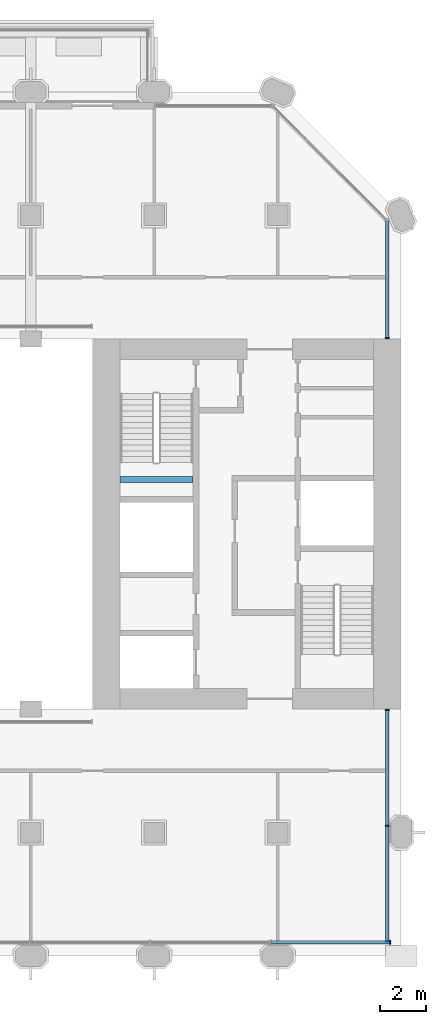
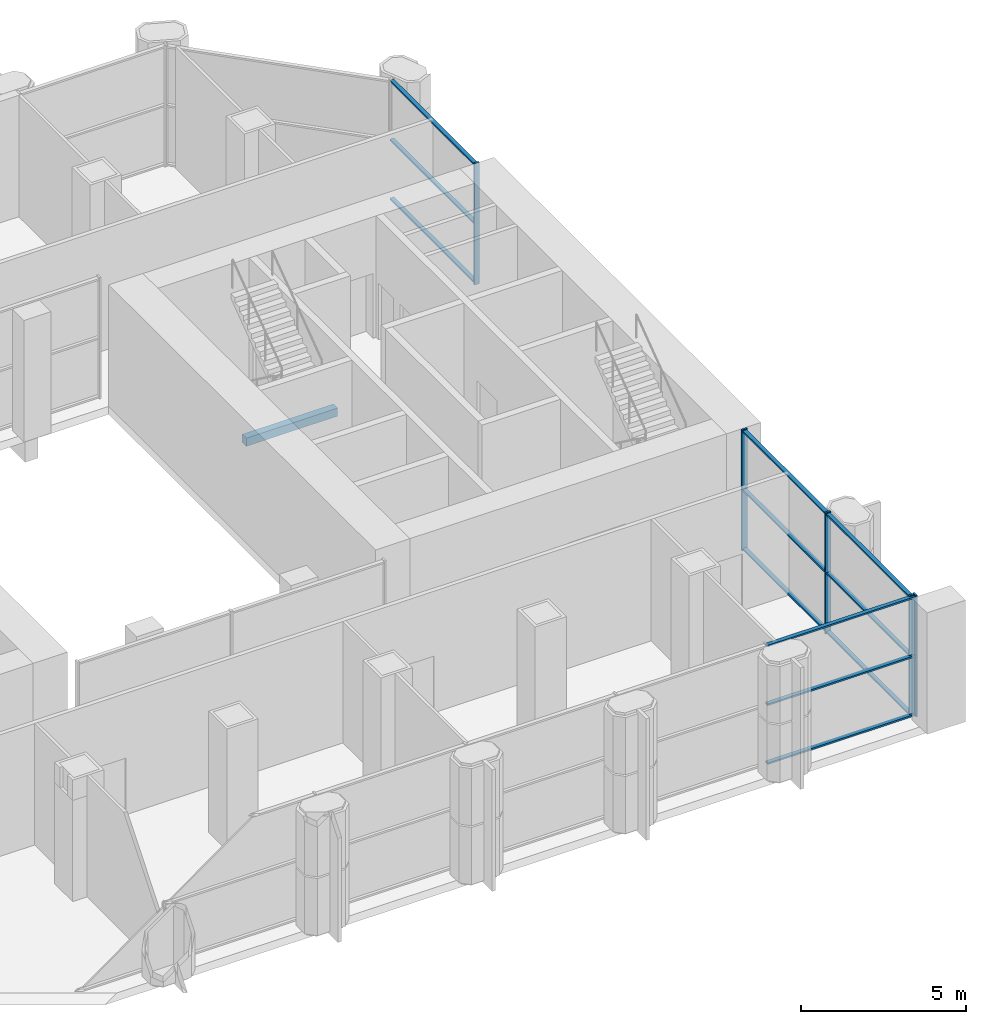
# One storey, part 6 of 15: 17 members, 1 beam, 3 elements without a shape of their own.
"""IFC4 building model written with IfcOpenShell, lengths in metres."""

from ifc_helpers import new_model, si_unit, direction, frame, origin, origin_2d, place, context, subcontext, project, spatial, rectangle, extrude, material, material_profile, profile_set, type_object, element, aggregate, save


model = new_model("IFC4")

# Units and contexts
model_context = context("Model", 3, precision=1e-05, world=origin(), true_north=direction((0.0, 1.0)))
body_context = subcontext(model_context, "Body", "Model", "MODEL_VIEW")
ifc_project = project(units=[si_unit("LENGTHUNIT", "METRE"), si_unit("AREAUNIT", "SQUARE_METRE"), si_unit("VOLUMEUNIT", "CUBIC_METRE"), si_unit("PLANEANGLEUNIT", "RADIAN"), si_unit("MASSUNIT", "GRAM", prefix="KILO")], contexts=[model_context])

# Site, building, storey
site_placement = place(None, origin())
site = spatial("IfcSite", under=ifc_project, at=site_placement, CompositionType="ELEMENT")
building_placement = place(site_placement, origin())
building = spatial("IfcBuilding", under=site, at=building_placement, Name="Tabaq Tower and Sports Hall", CompositionType="ELEMENT")
storey_placement = place(building_placement, frame((0.0, 0.0, 138.39990234375)))
storey = spatial("IfcBuildingStorey", under=building, at=storey_placement, Name="L32", CompositionType="ELEMENT", Elevation=138.39990234375)

# Curtain wall, member
ifc_material_1 = material(Name="Aluminium alloy 6063-T6 framed glazing", Category="aluminium")
curtain_wall_type = type_object("IfcCurtainWallType", Name="CW3 curtain wall", PredefinedType="USERDEFINED", material=ifc_material_1)
curtain_wall_1_placement = place(storey_placement, origin())
curtain_wall_1 = element("IfcCurtainWall", 1, at=curtain_wall_1_placement, inside=storey, type_object=curtain_wall_type, Name="Garden Floor Wall L32 S", ObjectType="GARDEN FLOOR WALL", PredefinedType="USERDEFINED")
ifc_material_2 = material(Name="Aluminium alloy 6063-T6", Category="aluminium")
ifc_material_profile_1 = material_profile(ifc_material_2, rectangle(XDim=0.179931640625, YDim=0.06005859375, at=origin_2d()), Name="MULLION 180x60")
ifc_profile_set_1 = profile_set([ifc_material_profile_1], Name="Aluminium alloy 6063-T6")
member_type_1 = type_object("IfcMemberType", Name="CW3 mullion 180x60", PredefinedType="MULLION", material=ifc_profile_set_1)
member_1_placement = place(storey_placement, frame((42.719970703125, 6.0, 0.0), z_axis=(0.0, 0.0, 1.0), x_axis=(0.0, 1.0, 0.0)))
member_1 = element("IfcMember", 2, at=member_1_placement, type_object=member_type_1, Name="CW3 mullion 9", PredefinedType="MULLION", context=body_context, shape_type="SweptSolid", body=[
    extrude(rectangle(XDim=0.179931640625, YDim=0.06005859375, at=origin_2d()), origin(), (0.0, 0.0, 1.0), 4.5),
])

# Curtain wall, members
curtain_wall_2_placement = place(storey_placement, origin())
curtain_wall_2 = element("IfcCurtainWall", 3, at=curtain_wall_2_placement, inside=storey, type_object=curtain_wall_type, Name="Garden Floor Wall L32 E", ObjectType="GARDEN FLOOR WALL", PredefinedType="USERDEFINED")
member_2_placement = place(storey_placement, frame((42.60009765625, 6.030029296875, 0.0), z_axis=(0.0, 0.0, 1.0), x_axis=(-1.0, 0.0, 0.0)))
member_2 = element("IfcMember", 4, at=member_2_placement, type_object=member_type_1, Name="CW3 mullion 1", PredefinedType="MULLION", context=body_context, shape_type="SweptSolid", body=[
    extrude(rectangle(XDim=0.179931640625, YDim=0.06005859375, at=origin_2d()), origin(), (0.0, 0.0, 1.0), 4.5),
])
member_3_placement = place(storey_placement, frame((42.60009765625, 11.10009765625, 0.0), z_axis=(0.0, 0.0, 1.0), x_axis=(-1.0, 0.0, 0.0)))
member_3 = element("IfcMember", 5, at=member_3_placement, type_object=member_type_1, Name="CW3 mullion 2", PredefinedType="MULLION", context=body_context, shape_type="SweptSolid", body=[
    extrude(rectangle(XDim=0.179931640625, YDim=0.06005859375, at=origin_2d()), origin(), (0.0, 0.0, 1.0), 4.5),
])
member_4_placement = place(storey_placement, frame((42.60009765625, 16.169921875, 0.0), z_axis=(0.0, 0.0, 1.0), x_axis=(-1.0, 0.0, 0.0)))
member_4 = element("IfcMember", 6, at=member_4_placement, type_object=member_type_1, Name="CW3 mullion 3", PredefinedType="MULLION", context=body_context, shape_type="SweptSolid", body=[
    extrude(rectangle(XDim=0.179931640625, YDim=0.06005859375, at=origin_2d()), origin(), (0.0, 0.0, 1.0), 4.5),
])

# Curtain wall, member
curtain_wall_3_placement = place(storey_placement, origin())
curtain_wall_3 = element("IfcCurtainWall", 7, at=curtain_wall_3_placement, inside=storey, type_object=curtain_wall_type, Name="Garden Floor Wall L32 E", ObjectType="GARDEN FLOOR WALL", PredefinedType="USERDEFINED")
member_5_placement = place(storey_placement, frame((42.60009765625, 32.429931640625, 0.0), z_axis=(0.0, 0.0, 1.0), x_axis=(-1.0, 0.0, 0.0)))
member_5 = element("IfcMember", 8, at=member_5_placement, type_object=member_type_1, Name="CW3 mullion 1", PredefinedType="MULLION", context=body_context, shape_type="SweptSolid", body=[
    extrude(rectangle(XDim=0.179931640625, YDim=0.06005859375, at=origin_2d()), origin(), (0.0, 0.0, 1.0), 4.5),
])

# Member
ifc_material_3 = material(Name="Aluminium alloy 6063-T6", Category="aluminium")
ifc_material_profile_2 = material_profile(ifc_material_3, rectangle(XDim=0.139892578125, YDim=0.06005859375, at=origin_2d()), Name="TRANSOM 140x60")
ifc_profile_set_2 = profile_set([ifc_material_profile_2], Name="Aluminium alloy 6063-T6")
member_type_2 = type_object("IfcMemberType", Name="CW3 transom 140x60", PredefinedType="USERDEFINED", material=ifc_profile_set_2)
member_6_placement = place(storey_placement, frame((37.51123046875, 6.0, 0.070068359375), z_axis=(1.0, 0.0, 0.0), x_axis=(0.0, 1.0, 0.0)))
member_6 = element("IfcMember", 9, at=member_6_placement, type_object=member_type_2, Name="CW3 transom 8.1", ObjectType="TRANSOM", PredefinedType="USERDEFINED", context=body_context, shape_type="SweptSolid", body=[
    extrude(rectangle(XDim=0.139892578125, YDim=0.06005859375, at=origin_2d()), origin(), (0.0, 0.0, 1.0), 5.1787109375),
])

member_7_placement = place(storey_placement, frame((37.51123046875, 6.0, 2.25), z_axis=(1.0, 0.0, 0.0), x_axis=(0.0, 1.0, 0.0)))
member_7 = element("IfcMember", 10, at=member_7_placement, type_object=member_type_2, Name="CW3 transom 8.2", ObjectType="TRANSOM", PredefinedType="USERDEFINED", context=body_context, shape_type="SweptSolid", body=[
    extrude(rectangle(XDim=0.139892578125, YDim=0.06005859375, at=origin_2d()), origin(), (0.0, 0.0, 1.0), 5.1787109375),
])

member_8_placement = place(storey_placement, frame((37.51123046875, 6.0, 4.43017578125), z_axis=(1.0, 0.0, 0.0), x_axis=(0.0, 1.0, 0.0)))
member_8 = element("IfcMember", 11, at=member_8_placement, type_object=member_type_2, Name="CW3 transom 8.3", ObjectType="TRANSOM", PredefinedType="USERDEFINED", context=body_context, shape_type="SweptSolid", body=[
    extrude(rectangle(XDim=0.139892578125, YDim=0.06005859375, at=origin_2d()), origin(), (0.0, 0.0, 1.0), 5.1787109375),
])

aggregate(curtain_wall_1, [member_1, member_6, member_7, member_8])

member_9_placement = place(storey_placement, frame((42.60009765625, 6.06005859375, 0.070068359375), z_axis=(0.0, 1.0, 0.0), x_axis=(-1.0, 0.0, 0.0)))
member_9 = element("IfcMember", 12, at=member_9_placement, type_object=member_type_2, Name="CW3 transom 1.1", ObjectType="TRANSOM", PredefinedType="USERDEFINED", context=body_context, shape_type="SweptSolid", body=[
    extrude(rectangle(XDim=0.139892578125, YDim=0.06005859375, at=origin_2d()), origin(), (0.0, 0.0, 1.0), 5.010009765625),
])

member_10_placement = place(storey_placement, frame((42.60009765625, 6.06005859375, 2.25), z_axis=(0.0, 1.0, 0.0), x_axis=(-1.0, 0.0, 0.0)))
member_10 = element("IfcMember", 13, at=member_10_placement, type_object=member_type_2, Name="CW3 transom 1.2", ObjectType="TRANSOM", PredefinedType="USERDEFINED", context=body_context, shape_type="SweptSolid", body=[
    extrude(rectangle(XDim=0.139892578125, YDim=0.06005859375, at=origin_2d()), origin(), (0.0, 0.0, 1.0), 5.010009765625),
])

member_11_placement = place(storey_placement, frame((42.60009765625, 6.06005859375, 4.43017578125), z_axis=(0.0, 1.0, 0.0), x_axis=(-1.0, 0.0, 0.0)))
member_11 = element("IfcMember", 14, at=member_11_placement, type_object=member_type_2, Name="CW3 transom 1.3", ObjectType="TRANSOM", PredefinedType="USERDEFINED", context=body_context, shape_type="SweptSolid", body=[
    extrude(rectangle(XDim=0.139892578125, YDim=0.06005859375, at=origin_2d()), origin(), (0.0, 0.0, 1.0), 5.010009765625),
])

member_12_placement = place(storey_placement, frame((42.60009765625, 11.1298828125, 0.070068359375), z_axis=(0.0, 1.0, 0.0), x_axis=(-1.0, 0.0, 0.0)))
member_12 = element("IfcMember", 15, at=member_12_placement, type_object=member_type_2, Name="CW3 transom 2.1", ObjectType="TRANSOM", PredefinedType="USERDEFINED", context=body_context, shape_type="SweptSolid", body=[
    extrude(rectangle(XDim=0.139892578125, YDim=0.06005859375, at=origin_2d()), origin(), (0.0, 0.0, 1.0), 5.010009765625),
])

member_13_placement = place(storey_placement, frame((42.60009765625, 11.1298828125, 2.25), z_axis=(0.0, 1.0, 0.0), x_axis=(-1.0, 0.0, 0.0)))
member_13 = element("IfcMember", 16, at=member_13_placement, type_object=member_type_2, Name="CW3 transom 2.2", ObjectType="TRANSOM", PredefinedType="USERDEFINED", context=body_context, shape_type="SweptSolid", body=[
    extrude(rectangle(XDim=0.139892578125, YDim=0.06005859375, at=origin_2d()), origin(), (0.0, 0.0, 1.0), 5.010009765625),
])

member_14_placement = place(storey_placement, frame((42.60009765625, 11.1298828125, 4.43017578125), z_axis=(0.0, 1.0, 0.0), x_axis=(-1.0, 0.0, 0.0)))
member_14 = element("IfcMember", 17, at=member_14_placement, type_object=member_type_2, Name="CW3 transom 2.3", ObjectType="TRANSOM", PredefinedType="USERDEFINED", context=body_context, shape_type="SweptSolid", body=[
    extrude(rectangle(XDim=0.139892578125, YDim=0.06005859375, at=origin_2d()), origin(), (0.0, 0.0, 1.0), 5.010009765625),
])

aggregate(curtain_wall_2, [member_2, member_3, member_4, member_9, member_10, member_11, member_12, member_13, member_14])

member_15_placement = place(storey_placement, frame((42.60009765625, 32.4599609375, 0.070068359375), z_axis=(0.0, 1.0, 0.0), x_axis=(-1.0, 0.0, 0.0)))
member_15 = element("IfcMember", 18, at=member_15_placement, type_object=member_type_2, Name="CW3 transom 1.1", ObjectType="TRANSOM", PredefinedType="USERDEFINED", context=body_context, shape_type="SweptSolid", body=[
    extrude(rectangle(XDim=0.139892578125, YDim=0.06005859375, at=origin_2d()), origin(), (0.0, 0.0, 1.0), 5.09375),
])

member_16_placement = place(storey_placement, frame((42.60009765625, 32.4599609375, 2.25), z_axis=(0.0, 1.0, 0.0), x_axis=(-1.0, 0.0, 0.0)))
member_16 = element("IfcMember", 19, at=member_16_placement, type_object=member_type_2, Name="CW3 transom 1.2", ObjectType="TRANSOM", PredefinedType="USERDEFINED", context=body_context, shape_type="SweptSolid", body=[
    extrude(rectangle(XDim=0.139892578125, YDim=0.06005859375, at=origin_2d()), origin(), (0.0, 0.0, 1.0), 5.09375),
])

member_17_placement = place(storey_placement, frame((42.60009765625, 32.4599609375, 4.43017578125), z_axis=(0.0, 1.0, 0.0), x_axis=(-1.0, 0.0, 0.0)))
member_17 = element("IfcMember", 20, at=member_17_placement, type_object=member_type_2, Name="CW3 transom 1.3", ObjectType="TRANSOM", PredefinedType="USERDEFINED", context=body_context, shape_type="SweptSolid", body=[
    extrude(rectangle(XDim=0.139892578125, YDim=0.06005859375, at=origin_2d()), origin(), (0.0, 0.0, 1.0), 5.09375),
])

aggregate(curtain_wall_3, [member_5, member_15, member_16, member_17])

# Beam
ifc_material_4 = material(Name="Concrete C40/50", Category="concrete")
ifc_material_profile_3 = material_profile(ifc_material_4, rectangle(XDim=0.25, YDim=0.300048828125, at=origin_2d()), Name="RC 250x300")
ifc_profile_set_3 = profile_set([ifc_material_profile_3], Name="Concrete C40/50")
beam_type = type_object("IfcBeamType", Name="Stair landing beam 250x300", PredefinedType="BEAM", material=ifc_profile_set_3)
beam_placement = place(storey_placement, frame((30.89990234375, 26.25, 2.050048828125), z_axis=(1.0, 0.0, 0.0), x_axis=(0.0, 1.0, 0.0)))
element("IfcBeam", 21, at=beam_placement, inside=storey, type_object=beam_type, Name="L32 ST4 landing beam 1", PredefinedType="BEAM", context=body_context, shape_type="SweptSolid", body=[
    extrude(rectangle(XDim=0.25, YDim=0.300048828125, at=origin_2d()), origin(), (0.0, 0.0, 1.0), 3.2001953125),
])

save(model, "model.ifc")
